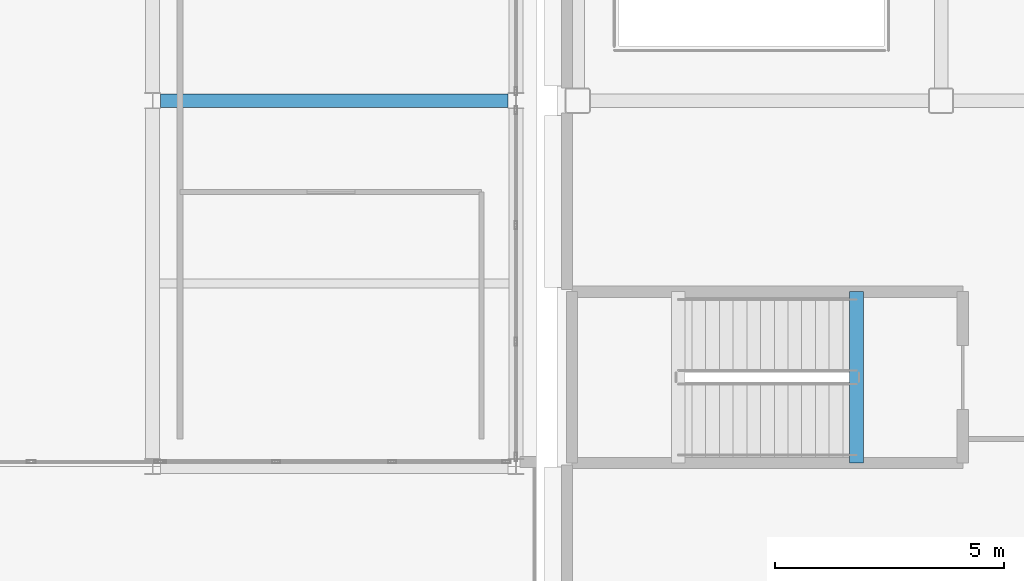
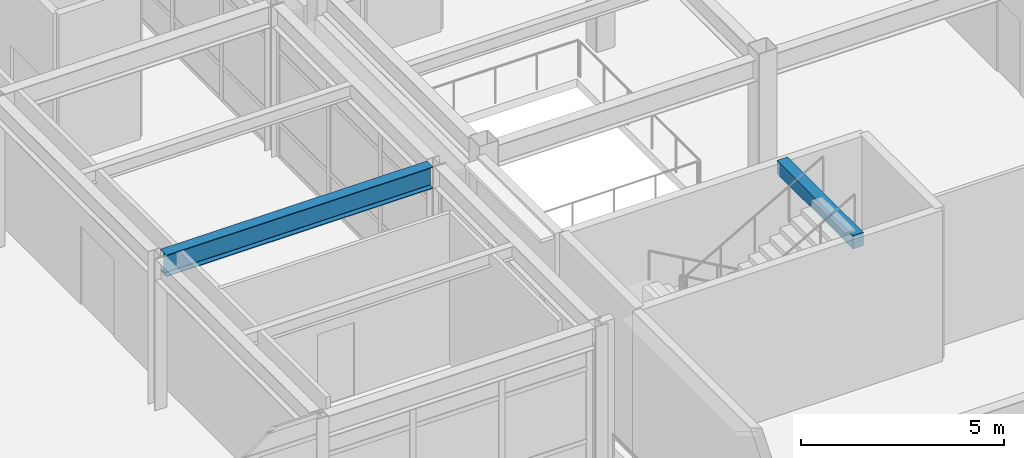
# One storey, part 19 of 154: 2 beams.
"""IFC4 building model written with IfcOpenShell, lengths in metres."""

from ifc_helpers import new_model, si_unit, direction, frame, origin, origin_2d, place, context, subcontext, project, spatial, rectangle, i_section, extrude, material, material_profile, profile_set, type_object, element, save


model = new_model("IFC4")

# Units and contexts
model_context = context("Model", 3, precision=1e-05, world=origin(), true_north=direction((0.0, 1.0)))
body_context = subcontext(model_context, "Body", "Model", "MODEL_VIEW")
ifc_project = project(units=[si_unit("LENGTHUNIT", "METRE"), si_unit("AREAUNIT", "SQUARE_METRE"), si_unit("VOLUMEUNIT", "CUBIC_METRE"), si_unit("PLANEANGLEUNIT", "RADIAN"), si_unit("MASSUNIT", "GRAM", prefix="KILO")], contexts=[model_context])

# Site, building, storey
site_placement = place(None, origin())
site = spatial("IfcSite", under=ifc_project, at=site_placement, CompositionType="ELEMENT")
building_placement = place(site_placement, origin())
building = spatial("IfcBuilding", under=site, at=building_placement, Name="Kazehara Bluff Congress Hotel", CompositionType="ELEMENT")
storey_placement = place(building_placement, frame((0.0, 0.0, 10.199951171875)))
storey = spatial("IfcBuildingStorey", under=building, at=storey_placement, Name="L02", CompositionType="ELEMENT", Elevation=10.199951171875)

# Beams
ifc_material_1 = material(Name="Steel SN490B", Category="steel")
ifc_material_profile_1 = material_profile(ifc_material_1, i_section(OverallWidth=0.300048828125, OverallDepth=0.64990234375, WebThickness=0.011962890625, FlangeThickness=0.02001953125, FilletRadius=0.012939453125, at=origin_2d()))
ifc_profile_set_1 = profile_set([ifc_material_profile_1], Name="Steel SN490B")
beam_type_1 = type_object("IfcBeamType", Name="TP-G-03", PredefinedType="BEAM", material=ifc_profile_set_1)
beam_1_placement = place(storey_placement, frame((50.574951171875, 24.0, 4.235107421875), z_axis=(1.0, 0.0, 0.0), x_axis=(0.0, 1.0, 0.0)))
element("IfcBeam", 1, at=beam_1_placement, inside=storey, type_object=beam_type_1, Name="L02 girder G-03 50", PredefinedType="BEAM", context=body_context, shape_type="SweptSolid", body=[
    extrude(i_section(OverallWidth=0.300048828125, OverallDepth=0.64990234375, WebThickness=0.011962890625, FlangeThickness=0.02001953125, FilletRadius=0.012939453125, at=origin_2d()), origin(), (0.0, 0.0, 1.0), 7.60009765625),
])
ifc_material_2 = material(Name="Concrete C40/50", Category="concrete")
ifc_material_profile_2 = material_profile(ifc_material_2, rectangle(XDim=0.300048828125, YDim=0.39990234375, at=origin_2d()))
ifc_profile_set_2 = profile_set([ifc_material_profile_2], Name="Concrete C40/50")
beam_type_2 = type_object("IfcBeamType", Name="TP-LN-02", PredefinedType="LINTEL", material=ifc_profile_set_2)
beam_2_placement = place(storey_placement, frame((65.800048828125, 19.824951171875, 4.380126953125), z_axis=(0.0, -1.0, 0.0), x_axis=(1.0, 0.0, 0.0)))
element("IfcBeam", 2, at=beam_2_placement, inside=storey, type_object=beam_type_2, Name="L03 ST-08 stairwell trimmer beam", PredefinedType="LINTEL", context=body_context, shape_type="SweptSolid", body=[
    extrude(rectangle(XDim=0.300048828125, YDim=0.39990234375, at=origin_2d()), origin(), (0.0, 0.0, 1.0), 3.75),
])

save(model, "model.ifc")
